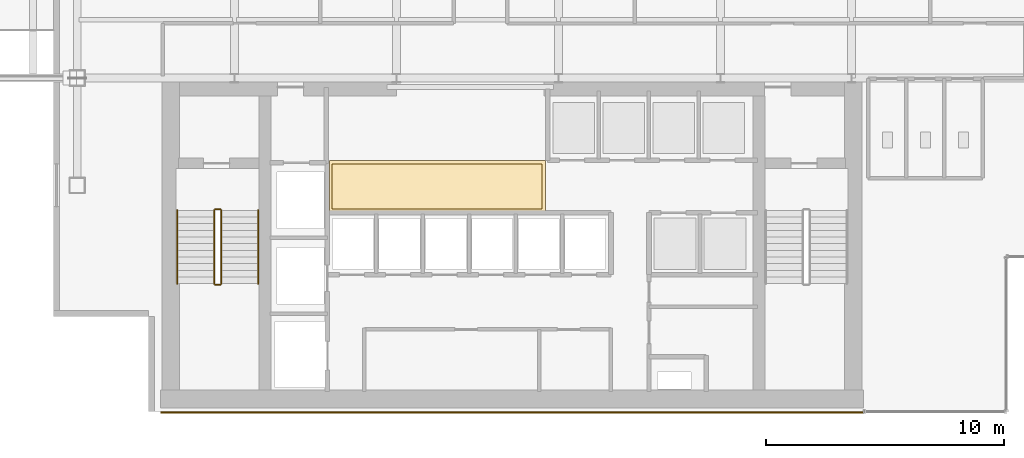
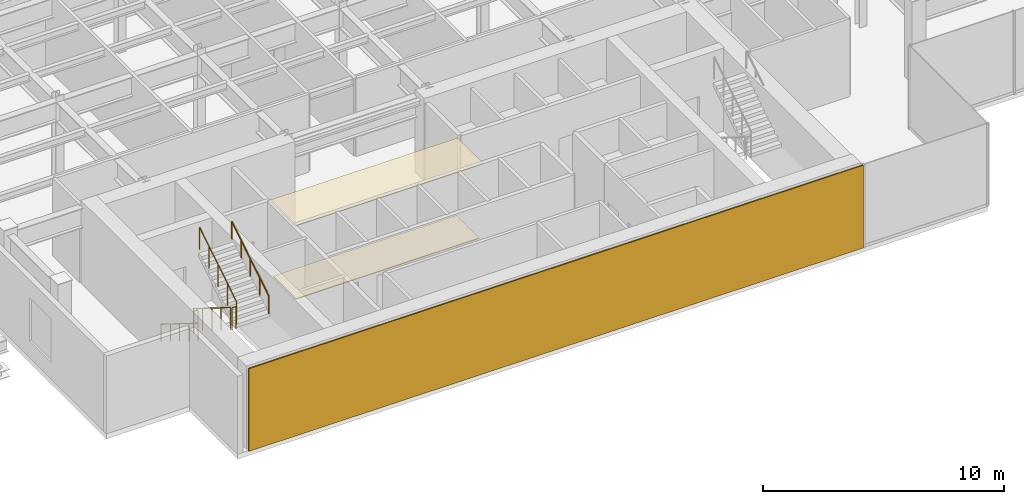
# One storey, part 21 of 26: 6 railings, 3 coverings.
"""IFC4 building model written with IfcOpenShell, lengths in metres."""

from ifc_helpers import new_model, si_unit, derived_unit, direction, frame, origin, origin_2d, place, context, subcontext, project, spatial, polyline, rectangle, circle, outline, extrude, source, transform, mapped, material, layer, layer_set, type_object, element, save


model = new_model("IFC4")

# Units and contexts
model_context = context("Model", 3, precision=1e-05, world=origin(), true_north=direction((0.0, 1.0)))
body_context = subcontext(model_context, "Body", "Model", "MODEL_VIEW")
ifc_project = project(units=[si_unit("LENGTHUNIT", "METRE"), si_unit("AREAUNIT", "SQUARE_METRE"), si_unit("VOLUMEUNIT", "CUBIC_METRE"), si_unit("PLANEANGLEUNIT", "RADIAN"), si_unit("MASSUNIT", "GRAM", prefix="KILO"), derived_unit("THERMALTRANSMITTANCEUNIT", [(si_unit("POWERUNIT", "WATT"), 1), (si_unit("LENGTHUNIT", "METRE"), -2), (si_unit("THERMODYNAMICTEMPERATUREUNIT", "KELVIN"), -1)])], contexts=[model_context])

# Site, building, storey
site_placement = place(None, origin())
site = spatial("IfcSite", under=ifc_project, at=site_placement, CompositionType="ELEMENT")
building_placement = place(site_placement, origin())
building = spatial("IfcBuilding", under=site, at=building_placement, Name="Skarnbrae Concourse Arena and Tower", CompositionType="ELEMENT")
storey_placement = place(building_placement, frame((0.0, 0.0, 184.39990234375)))
storey = spatial("IfcBuildingStorey", under=building, at=storey_placement, Name="L47", CompositionType="ELEMENT", Elevation=184.39990234375)

# Coverings
ifc_material_1 = material(Name="Mineral fibre acoustic ceiling tile", Category="other")
ifc_layer_1 = layer(ifc_material_1, 0.0400390625)
ifc_layer_set_1 = layer_set([ifc_layer_1], Name="Mineral fibre acoustic ceiling tile")
covering_type_1 = type_object("IfcCoveringType", Name="COV-CEIL-ACOUSTIC", PredefinedType="CEILING", material=ifc_layer_set_1)
covering_1_placement = place(storey_placement, frame((0.0, 0.0, 3.7900390625)))
element("IfcCovering", 1, at=covering_1_placement, inside=storey, type_object=covering_type_1, Name="L47 Lift lobby acoustic ceiling", PredefinedType="CEILING", context=body_context, shape_type="SweptSolid", body=[
    extrude(outline(polyline([(11.60009765625, 8.39990234375), (20.64990234375, 8.39990234375), (20.64990234375, 10.550048828125), (11.60009765625, 10.550048828125), (11.60009765625, 8.39990234375)])), origin(), (0.0, 0.0, 1.0), 0.0400390625),
])
ifc_material_2 = material(Name="Polished granite terrazzo flooring", Category="masonry")
ifc_layer_2 = layer(ifc_material_2, 0.0400390625)
ifc_layer_set_2 = layer_set([ifc_layer_2], Name="Polished granite terrazzo flooring")
covering_type_2 = type_object("IfcCoveringType", Name="COV-FLOOR-TERRAZZO", PredefinedType="FLOORING", material=ifc_layer_set_2)
covering_2_placement = place(storey_placement, origin())
element("IfcCovering", 2, at=covering_2_placement, inside=storey, type_object=covering_type_2, Name="L47 Lift lobby terrazzo flooring", PredefinedType="FLOORING", context=body_context, shape_type="SweptSolid", body=[
    extrude(outline(polyline([(11.699951171875, 8.5), (20.5, 8.5), (20.5, 10.39990234375), (11.699951171875, 10.39990234375), (11.699951171875, 8.5)])), origin(), (0.0, 0.0, 1.0), 0.0400390625),
])

# Railings
ifc_material_3 = material(Name="Steel CSA G40.21 350W", Category="steel")
railing_type_1 = type_object("IfcRailingType", Name="RAIL-HANDRAIL-900", PredefinedType="HANDRAIL", material=ifc_material_3)
railing_1_placement = place(storey_placement, frame((5.199951171875, 8.449951171875, 0.175048828125)))
element("IfcRailing", 3, at=railing_1_placement, inside=storey, type_object=railing_type_1, Name="L47 ST-1 stair handrail 1", PredefinedType="HANDRAIL", context=body_context, shape_type="SweptSolid", body=[
    extrude(circle(Radius=0.02392578125, at=origin_2d()), frame((0.0, 0.0, 0.8759765625), z_axis=(0.0, -0.847979421464, 0.530029150871), x_axis=(1.0, 0.0, 0.0)), (0.0, 0.0, 1.0), 3.632080078125),
    extrude(circle(Radius=0.02099609375, at=origin_2d()), origin(), (0.0, 0.0, 1.0), 0.851806640625),
    extrude(circle(Radius=0.02099609375, at=origin_2d()), frame((0.0, -0.77001953125, 0.481201171875)), (0.0, 0.0, 1.0), 0.851806640625),
    extrude(circle(Radius=0.02099609375, at=origin_2d()), frame((0.0, -1.5400390625, 0.96240234375)), (0.0, 0.0, 1.0), 0.851806640625),
    extrude(circle(Radius=0.02099609375, at=origin_2d()), frame((0.0, -2.309814453125, 1.44384765625)), (0.0, 0.0, 1.0), 0.851806640625),
    extrude(circle(Radius=0.02099609375, at=origin_2d()), frame((0.0, -3.079833984375, 1.925048828125)), (0.0, 0.0, 1.0), 0.851806640625),
])
railing_2_placement = place(storey_placement, frame((8.60009765625, 5.3701171875, 2.275146484375)))
element("IfcRailing", 4, at=railing_2_placement, inside=storey, type_object=railing_type_1, Name="L47 ST-1 stair handrail 2", PredefinedType="HANDRAIL", context=body_context, shape_type="SweptSolid", body=[
    extrude(circle(Radius=0.02392578125, at=origin_2d()), frame((0.0, 0.0, 0.8759765625), z_axis=(0.0, 0.847979421464, 0.530029150871), x_axis=(-1.0, 0.0, 0.0)), (0.0, 0.0, 1.0), 3.632080078125),
    extrude(circle(Radius=0.02099609375, at=origin_2d()), origin(), (0.0, 0.0, 1.0), 0.851806640625),
    extrude(circle(Radius=0.02099609375, at=origin_2d()), frame((0.0, 0.77001953125, 0.481201171875)), (0.0, 0.0, 1.0), 0.851806640625),
    extrude(circle(Radius=0.02099609375, at=origin_2d()), frame((0.0, 1.5400390625, 0.96240234375)), (0.0, 0.0, 1.0), 0.851806640625),
    extrude(circle(Radius=0.02099609375, at=origin_2d()), frame((0.0, 2.309814453125, 1.44384765625)), (0.0, 0.0, 1.0), 0.851806640625),
    extrude(circle(Radius=0.02099609375, at=origin_2d()), frame((0.0, 3.079833984375, 1.925048828125)), (0.0, 0.0, 1.0), 0.851806640625),
])
railing_type_2 = type_object("IfcRailingType", Name="RAIL-STAIR-GUARD-1150", PredefinedType="GUARDRAIL", material=ifc_material_3)
railing_3_placement = place(storey_placement, frame((6.75, 8.449951171875, 0.175048828125)))
element("IfcRailing", 5, at=railing_3_placement, inside=storey, type_object=railing_type_2, Name="L47 ST-1 stair guard 1", PredefinedType="GUARDRAIL", context=body_context, shape_type="SweptSolid", body=[
    extrude(circle(Radius=0.02392578125, at=origin_2d()), frame((0.0, 0.0, 1.1259765625), z_axis=(0.0, -0.847979421464, 0.530029150871), x_axis=(1.0, 0.0, 0.0)), (0.0, 0.0, 1.0), 3.632080078125),
    extrude(circle(Radius=0.02099609375, at=origin_2d()), origin(), (0.0, 0.0, 1.0), 1.101806640625),
    extrude(circle(Radius=0.02099609375, at=origin_2d()), frame((0.0, -0.77001953125, 0.481201171875)), (0.0, 0.0, 1.0), 1.101806640625),
    extrude(circle(Radius=0.02099609375, at=origin_2d()), frame((0.0, -1.5400390625, 0.96240234375)), (0.0, 0.0, 1.0), 1.101806640625),
    extrude(circle(Radius=0.02099609375, at=origin_2d()), frame((0.0, -2.309814453125, 1.44384765625)), (0.0, 0.0, 1.0), 1.101806640625),
    extrude(circle(Radius=0.02099609375, at=origin_2d()), frame((0.0, -3.079833984375, 1.925048828125)), (0.0, 0.0, 1.0), 1.101806640625),
])
railing_4_placement = place(storey_placement, frame((6.800048828125, 5.320068359375, 2.10009765625)))
element("IfcRailing", 6, at=railing_4_placement, inside=storey, type_object=railing_type_2, Name="L47 ST-1 stair guard 2", PredefinedType="GUARDRAIL", context=body_context, shape_type="SweptSolid", body=[
    extrude(circle(Radius=0.02392578125, at=origin_2d()), frame((0.0, 0.0, 1.1259765625), z_axis=(1.0, 0.0, 0.0), x_axis=(0.0, 1.0, 0.0)), (0.0, 0.0, 1.0), 0.199951171875),
    extrude(circle(Radius=0.02099609375, at=origin_2d()), origin(), (0.0, 0.0, 1.0), 1.101806640625),
    extrude(circle(Radius=0.02099609375, at=origin_2d()), frame((0.199951171875, 0.0, 0.0)), (0.0, 0.0, 1.0), 1.101806640625),
])
railing_5_placement = place(storey_placement, frame((7.050048828125, 5.3701171875, 2.275146484375)))
element("IfcRailing", 7, at=railing_5_placement, inside=storey, type_object=railing_type_2, Name="L47 ST-1 stair guard 3", PredefinedType="GUARDRAIL", context=body_context, shape_type="SweptSolid", body=[
    extrude(circle(Radius=0.02392578125, at=origin_2d()), frame((0.0, 0.0, 1.1259765625), z_axis=(0.0, 0.847979421464, 0.530029150871), x_axis=(-1.0, 0.0, 0.0)), (0.0, 0.0, 1.0), 3.632080078125),
    extrude(circle(Radius=0.02099609375, at=origin_2d()), origin(), (0.0, 0.0, 1.0), 1.101806640625),
    extrude(circle(Radius=0.02099609375, at=origin_2d()), frame((0.0, 0.77001953125, 0.481201171875)), (0.0, 0.0, 1.0), 1.101806640625),
    extrude(circle(Radius=0.02099609375, at=origin_2d()), frame((0.0, 1.5400390625, 0.96240234375)), (0.0, 0.0, 1.0), 1.101806640625),
    extrude(circle(Radius=0.02099609375, at=origin_2d()), frame((0.0, 2.309814453125, 1.44384765625)), (0.0, 0.0, 1.0), 1.101806640625),
    extrude(circle(Radius=0.02099609375, at=origin_2d()), frame((0.0, 3.079833984375, 1.925048828125)), (0.0, 0.0, 1.0), 1.101806640625),
])
railing_6_placement = place(storey_placement, frame((6.800048828125, 8.5, 0.0)))
element("IfcRailing", 8, at=railing_6_placement, inside=storey, type_object=railing_type_2, Name="L47 ST-1 stair guard 4", PredefinedType="GUARDRAIL", context=body_context, shape_type="SweptSolid", body=[
    extrude(circle(Radius=0.02392578125, at=origin_2d()), frame((0.0, 0.0, 1.1259765625), z_axis=(1.0, 0.0, 0.0), x_axis=(0.0, 1.0, 0.0)), (0.0, 0.0, 1.0), 0.199951171875),
    extrude(circle(Radius=0.02099609375, at=origin_2d()), origin(), (0.0, 0.0, 1.0), 1.101806640625),
    extrude(circle(Radius=0.02099609375, at=origin_2d()), frame((0.199951171875, 0.0, 0.0)), (0.0, 0.0, 1.0), 1.101806640625),
])

# Covering
ifc_material_4 = material(Name="Bronze anodised aluminium 6063-T6", Category="aluminium")
ifc_layer_3 = layer(ifc_material_4, 0.06005859375)
ifc_layer_set_3 = layer_set([ifc_layer_3], Name="Bronze anodised aluminium 6063-T6")
covering_type_3 = type_object("IfcCoveringType", Name="COV-CLAD-BRONZE-60", PredefinedType="CLADDING", material=ifc_layer_set_3)
shared_shape = source(origin(), body_context, "Body", "SweptSolid", [
    extrude(rectangle(XDim=29.5, YDim=0.06005859375, at=origin_2d()), origin(), (0.0, 0.0, 1.0), 4.199951171875),
])
covering_3_placement = place(storey_placement, frame((19.25, -0.030029296875, 0.0), z_axis=(0.0, 0.0, 1.0), x_axis=(1.0, 0.0, 0.0)))
element("IfcCovering", 9, at=covering_3_placement, inside=storey, type_object=covering_type_3, Name="L47 Rear-core plumb spine bronze rainscreen panel", PredefinedType="CLADDING", context=body_context, shape_type="MappedRepresentation", body=[
    mapped(shared_shape, transform((0.0, 0.0, 0.0))),
])

save(model, "model.ifc")
